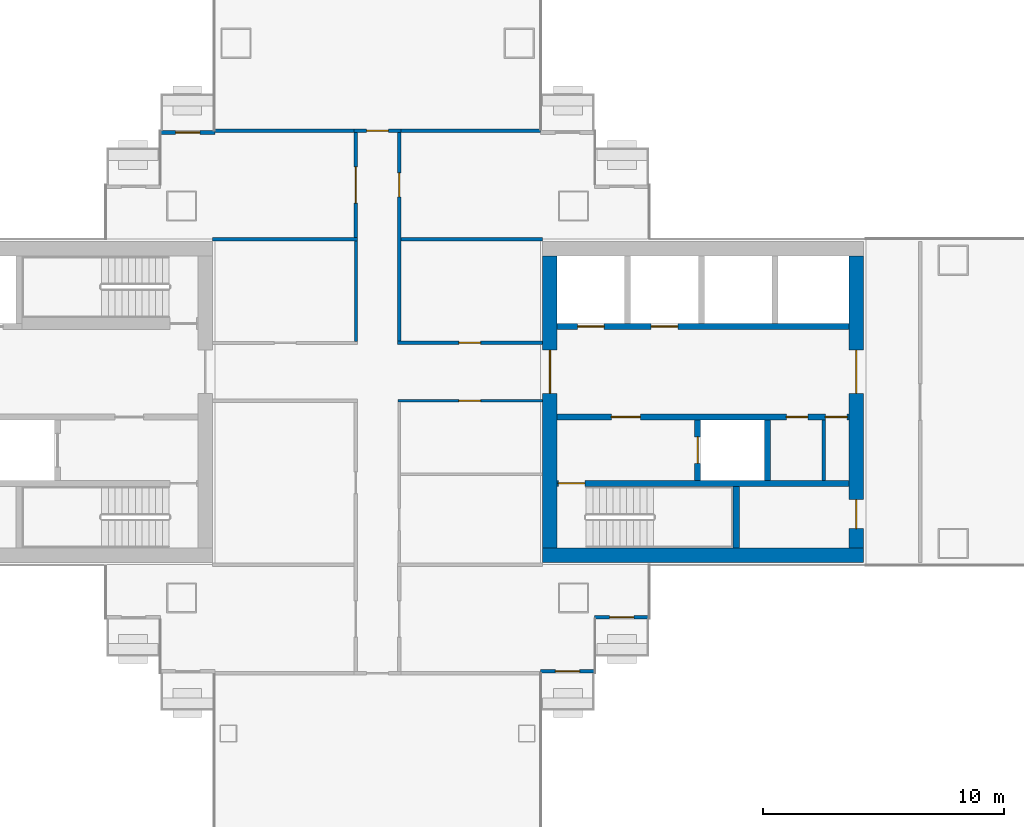
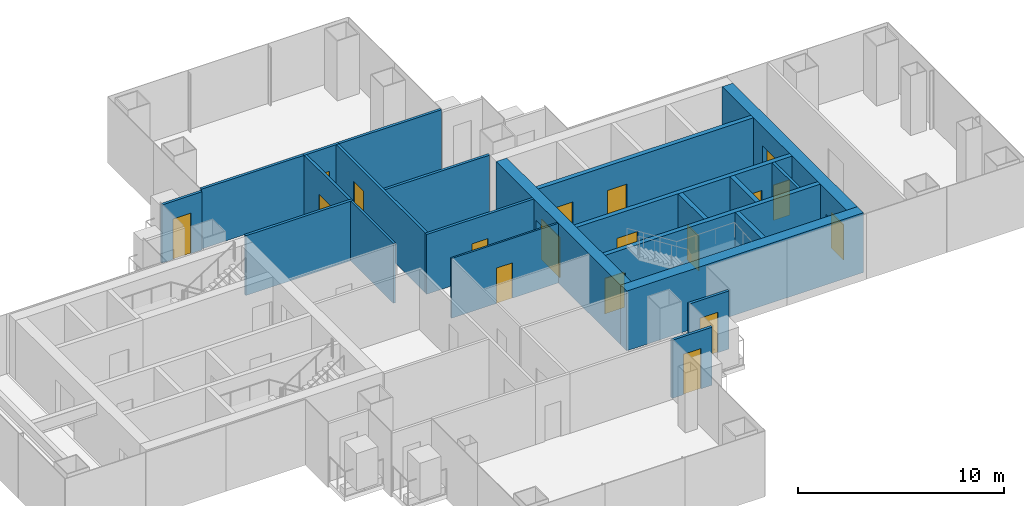
# One storey, part 13 of 20: 23 walls, 18 doors, 18 openings.
"""IFC4 building model written with IfcOpenShell, lengths in metres."""

from ifc_helpers import new_model, si_unit, direction, frame, frame_2d, origin, place, context, subcontext, project, spatial, rectangle, extrude, material, layer, layer_set, type_object, element, fill, save


model = new_model("IFC4")

# Units and contexts
model_context = context("Model", 3, precision=1e-05, world=origin(), true_north=direction((0.0, 1.0)))
body_context = subcontext(model_context, "Body", "Model", "MODEL_VIEW")
ifc_project = project(units=[si_unit("LENGTHUNIT", "METRE"), si_unit("AREAUNIT", "SQUARE_METRE"), si_unit("VOLUMEUNIT", "CUBIC_METRE"), si_unit("PLANEANGLEUNIT", "RADIAN"), si_unit("MASSUNIT", "GRAM", prefix="KILO")], contexts=[model_context])

# Site, building, storey
site_placement = place(None, origin())
site = spatial("IfcSite", under=ifc_project, at=site_placement, CompositionType="ELEMENT")
building_placement = place(site_placement, origin())
building = spatial("IfcBuilding", under=site, at=building_placement, Name="Shamsa Quay Exchange Towers", CompositionType="ELEMENT")
storey_placement = place(building_placement, frame((0.0, 0.0, 105.300048828125)))
storey = spatial("IfcBuildingStorey", under=building, at=storey_placement, Name="L24", CompositionType="ELEMENT", Elevation=105.300048828125)

# Wall, opening, door
ifc_material_1 = material(Name="Aluminium EN AW-6063 T6, black anodised, with black enamelled glass infill", Category="aluminium")
ifc_layer_1 = layer(ifc_material_1, 0.14990234375)
ifc_layer_set_1 = layer_set([ifc_layer_1], Name="BALCONY DOOR BAY WALL 150")
wall_type_1 = type_object("IfcWallType", Name="BALCONY DOOR BAY WALL 150", PredefinedType="SOLIDWALL", material=ifc_layer_set_1)
wall_1_placement = place(storey_placement, frame((-22.5, -8.925048828125, 0.0), z_axis=(0.0, 0.0, 1.0), x_axis=(-1.0, 0.0, 0.0)))
wall_1 = element("IfcWall", 1, at=wall_1_placement, inside=storey, type_object=wall_type_1, Name="Door bay T1-PKES L24", PredefinedType="SOLIDWALL", context=body_context, shape_type="SweptSolid", body=[
    extrude(rectangle(XDim=2.25, YDim=0.14990234375, at=frame_2d((1.125, 0.0))), origin(), (0.0, 0.0, 1.0), 3.449951171875),
])
opening_1_placement = place(wall_1_placement, frame((0.625, 0.0, 0.0)))
opening_1 = element("IfcOpeningElement", 2, at=opening_1_placement, cuts=wall_1, Name="Opening XD155", PredefinedType="OPENING", context=body_context, shape_type="SweptSolid", body=[
    extrude(rectangle(XDim=1.0, YDim=2.39990234375, at=frame_2d((0.5, 1.199951171875))), frame((0.0, 0.0849609375, 0.0), z_axis=(0.0, -1.0, 0.0), x_axis=(1.0, 0.0, 0.0)), (0.0, 0.0, 1.0), 0.169921875),
])
ifc_material_2 = material(Name="Aluminium EN AW-6063 T6, black anodised, with laminated glass leaf", Category="aluminium")
door_type_1 = type_object("IfcDoorType", Name="BALCONY DOOR 1000x2400", OperationType="SINGLE_SWING_LEFT", PredefinedType="DOOR", material=ifc_material_2)
door_1_placement = place(opening_1_placement, origin())
door_1 = element("IfcDoor", 3, at=door_1_placement, inside=storey, type_object=door_type_1, Name="Balcony door T1-PKES L24", OperationType="SINGLE_SWING_RIGHT", OverallHeight=2.39990234375, OverallWidth=1.0, PredefinedType="DOOR", context=body_context, shape_type="SweptSolid", body=[
    extrude(rectangle(XDim=1.0, YDim=2.39990234375, at=frame_2d((0.5, 1.199951171875))), frame((0.0, 0.02490234375, 0.0), z_axis=(0.0, -1.0, 0.0), x_axis=(1.0, 0.0, 0.0)), (0.0, 0.0, 1.0), 0.050048828125),
])
fill(opening_1, door_1)

wall_2_placement = place(storey_placement, frame((-24.75, -11.175048828125, 0.0), z_axis=(0.0, 0.0, 1.0), x_axis=(-1.0, 0.0, 0.0)))
wall_2 = element("IfcWall", 4, at=wall_2_placement, inside=storey, type_object=wall_type_1, Name="Door bay T1-PKES L24", PredefinedType="SOLIDWALL", context=body_context, shape_type="SweptSolid", body=[
    extrude(rectangle(XDim=2.25, YDim=0.14990234375, at=frame_2d((1.125, 0.0))), origin(), (0.0, 0.0, 1.0), 3.449951171875),
])
opening_2_placement = place(wall_2_placement, frame((0.625, 0.0, 0.0)))
opening_2 = element("IfcOpeningElement", 5, at=opening_2_placement, cuts=wall_2, Name="Opening XD156", PredefinedType="OPENING", context=body_context, shape_type="SweptSolid", body=[
    extrude(rectangle(XDim=1.0, YDim=2.39990234375, at=frame_2d((0.5, 1.199951171875))), frame((0.0, 0.0849609375, 0.0), z_axis=(0.0, -1.0, 0.0), x_axis=(1.0, 0.0, 0.0)), (0.0, 0.0, 1.0), 0.169921875),
])
door_2_placement = place(opening_2_placement, origin())
door_2 = element("IfcDoor", 6, at=door_2_placement, inside=storey, type_object=door_type_1, Name="Balcony door T1-PKES L24", OperationType="SINGLE_SWING_LEFT", OverallHeight=2.39990234375, OverallWidth=1.0, PredefinedType="DOOR", context=body_context, shape_type="SweptSolid", body=[
    extrude(rectangle(XDim=1.0, YDim=2.39990234375, at=frame_2d((0.5, 1.199951171875))), frame((0.0, 0.02490234375, 0.0), z_axis=(0.0, -1.0, 0.0), x_axis=(1.0, 0.0, 0.0)), (0.0, 0.0, 1.0), 0.050048828125),
])
fill(opening_2, door_2)

wall_3_placement = place(storey_placement, frame((-42.75, 11.175048828125, 0.0)))
wall_3 = element("IfcWall", 7, at=wall_3_placement, inside=storey, type_object=wall_type_1, Name="Door bay T1-PKWN L24", PredefinedType="SOLIDWALL", context=body_context, shape_type="SweptSolid", body=[
    extrude(rectangle(XDim=2.25, YDim=0.14990234375, at=frame_2d((1.125, 0.0))), origin(), (0.0, 0.0, 1.0), 3.449951171875),
])
opening_3_placement = place(wall_3_placement, frame((0.625, 0.0, 0.0)))
opening_3 = element("IfcOpeningElement", 8, at=opening_3_placement, cuts=wall_3, Name="Opening XD157", PredefinedType="OPENING", context=body_context, shape_type="SweptSolid", body=[
    extrude(rectangle(XDim=1.0, YDim=2.39990234375, at=frame_2d((0.5, 1.199951171875))), frame((0.0, 0.0849609375, 0.0), z_axis=(0.0, -1.0, 0.0), x_axis=(1.0, 0.0, 0.0)), (0.0, 0.0, 1.0), 0.169921875),
])
door_3_placement = place(opening_3_placement, origin())
door_3 = element("IfcDoor", 9, at=door_3_placement, inside=storey, type_object=door_type_1, Name="Balcony door T1-PKWN L24", OperationType="SINGLE_SWING_LEFT", OverallHeight=2.39990234375, OverallWidth=1.0, PredefinedType="DOOR", context=body_context, shape_type="SweptSolid", body=[
    extrude(rectangle(XDim=1.0, YDim=2.39990234375, at=frame_2d((0.5, 1.199951171875))), frame((0.0, 0.02490234375, 0.0), z_axis=(0.0, -1.0, 0.0), x_axis=(1.0, 0.0, 0.0)), (0.0, 0.0, 1.0), 0.050048828125),
])
fill(opening_3, door_3)

# Wall
ifc_material_3 = material(Name="Concrete C70/85", Category="concrete")
ifc_layer_2 = layer(ifc_material_3, 0.60009765625)
ifc_layer_set_2 = layer_set([ifc_layer_2], Name="CORE WALL 600 C70/85")
wall_type_2 = type_object("IfcWallType", Name="CORE WALL 600 C70/85", PredefinedType="SHEAR", material=ifc_layer_set_2)
wall_4_placement = place(storey_placement, frame((-26.89990234375, -6.35009765625, 0.0)))
element("IfcWall", 10, at=wall_4_placement, inside=storey, type_object=wall_type_2, Name="Core wall T1A-R10-PS", PredefinedType="SHEAR", context=body_context, shape_type="SweptSolid", body=[
    extrude(rectangle(XDim=13.2998046875, YDim=0.60009765625, at=frame_2d((6.64990234375, 0.0))), origin(), (0.0, 0.0, 1.0), 3.550048828125),
])

# Wall, opening, door
wall_5_placement = place(storey_placement, frame((-26.60009765625, 6.050048828125, 0.0), z_axis=(0.0, 0.0, 1.0), x_axis=(0.0, -1.0, 0.0)))
wall_5 = element("IfcWall", 11, at=wall_5_placement, inside=storey, type_object=wall_type_2, Name="Core wall T1A-R10-PF", PredefinedType="SHEAR", context=body_context, shape_type="SweptSolid", body=[
    extrude(rectangle(XDim=12.10009765625, YDim=0.60009765625, at=frame_2d((6.050048828125, 0.0))), origin(), (0.0, 0.0, 1.0), 3.550048828125),
])
opening_4_placement = place(wall_5_placement, frame((3.89990234375, 0.0, 0.0)))
opening_4 = element("IfcOpeningElement", 12, at=opening_4_placement, cuts=wall_5, Name="Opening T1A-R10-LBD01", PredefinedType="OPENING", context=body_context, shape_type="SweptSolid", body=[
    extrude(rectangle(XDim=1.800048828125, YDim=2.39990234375, at=frame_2d((0.89990234375, 1.199951171875))), frame((0.0, 0.31005859375, 0.0), z_axis=(0.0, -1.0, 0.0), x_axis=(1.0, 0.0, 0.0)), (0.0, 0.0, 1.0), 0.6201171875),
])
ifc_material_4 = material(Name="Steel, fire rated", Category="steel")
door_type_2 = type_object("IfcDoorType", Name="LIFT LOBBY DOOR PAIR 1800", OperationType="DOUBLE_DOOR_SINGLE_SWING", PredefinedType="DOOR", material=ifc_material_4)
door_4_placement = place(opening_4_placement, origin())
door_4 = element("IfcDoor", 13, at=door_4_placement, inside=storey, type_object=door_type_2, Name="T1A-R10-LBD01", OperationType="DOUBLE_DOOR_SINGLE_SWING", OverallHeight=2.39990234375, OverallWidth=1.800048828125, PredefinedType="DOOR", context=body_context, shape_type="SweptSolid", body=[
    extrude(rectangle(XDim=1.800048828125, YDim=2.39990234375, at=frame_2d((0.89990234375, 1.199951171875))), frame((0.0, 0.02490234375, 0.0), z_axis=(0.0, -1.0, 0.0), x_axis=(1.0, 0.0, 0.0)), (0.0, 0.0, 1.0), 0.050048828125),
])
fill(opening_4, door_4)

# Wall, openings, doors
wall_6_placement = place(storey_placement, frame((-13.89990234375, 6.050048828125, 0.0), z_axis=(0.0, 0.0, 1.0), x_axis=(0.0, -1.0, 0.0)))
wall_6 = element("IfcWall", 14, at=wall_6_placement, inside=storey, type_object=wall_type_2, Name="Core wall T1A-R10-PB", PredefinedType="SHEAR", context=body_context, shape_type="SweptSolid", body=[
    extrude(rectangle(XDim=12.10009765625, YDim=0.60009765625, at=frame_2d((6.050048828125, 0.0))), origin(), (0.0, 0.0, 1.0), 3.550048828125),
])
opening_5_placement = place(wall_6_placement, frame((10.10009765625, 0.0, 0.0)))
opening_5 = element("IfcOpeningElement", 15, at=opening_5_placement, cuts=wall_6, Name="Opening T1A-R10-RD02", PredefinedType="OPENING", context=body_context, shape_type="SweptSolid", body=[
    extrude(rectangle(XDim=1.199951171875, YDim=2.10009765625, at=frame_2d((0.60009765625, 1.050048828125))), frame((0.0, 0.31005859375, 0.0), z_axis=(0.0, -1.0, 0.0), x_axis=(1.0, 0.0, 0.0)), (0.0, 0.0, 1.0), 0.6201171875),
])
opening_6_placement = place(wall_6_placement, frame((3.89990234375, 0.0, 0.0)))
opening_6 = element("IfcOpeningElement", 16, at=opening_6_placement, cuts=wall_6, Name="Opening T1A-R10-LBD03", PredefinedType="OPENING", context=body_context, shape_type="SweptSolid", body=[
    extrude(rectangle(XDim=1.800048828125, YDim=2.39990234375, at=frame_2d((0.89990234375, 1.199951171875))), frame((0.0, 0.31005859375, 0.0), z_axis=(0.0, -1.0, 0.0), x_axis=(1.0, 0.0, 0.0)), (0.0, 0.0, 1.0), 0.6201171875),
])
door_5_placement = place(opening_6_placement, origin())
door_5 = element("IfcDoor", 17, at=door_5_placement, inside=storey, type_object=door_type_2, Name="T1A-R10-LBD03", OperationType="DOUBLE_DOOR_SINGLE_SWING", OverallHeight=2.39990234375, OverallWidth=1.800048828125, PredefinedType="DOOR", context=body_context, shape_type="SweptSolid", body=[
    extrude(rectangle(XDim=1.800048828125, YDim=2.39990234375, at=frame_2d((0.89990234375, 1.199951171875))), frame((0.0, 0.02490234375, 0.0), z_axis=(0.0, -1.0, 0.0), x_axis=(1.0, 0.0, 0.0)), (0.0, 0.0, 1.0), 0.050048828125),
])
fill(opening_6, door_5)
door_type_3 = type_object("IfcDoorType", Name="RISER ACCESS DOOR 1200", OperationType="SINGLE_SWING_LEFT", PredefinedType="DOOR", material=ifc_material_4)
door_6_placement = place(opening_5_placement, origin())
door_6 = element("IfcDoor", 18, at=door_6_placement, inside=storey, type_object=door_type_3, Name="T1A-R10-RD02", OperationType="SINGLE_SWING_RIGHT", OverallHeight=2.10009765625, OverallWidth=1.199951171875, PredefinedType="DOOR", context=body_context, shape_type="SweptSolid", body=[
    extrude(rectangle(XDim=1.199951171875, YDim=2.10009765625, at=frame_2d((0.60009765625, 1.050048828125))), frame((0.0, 0.02490234375, 0.0), z_axis=(0.0, -1.0, 0.0), x_axis=(1.0, 0.0, 0.0)), (0.0, 0.0, 1.0), 0.050048828125),
])
fill(opening_5, door_6)

# Walls
ifc_material_5 = material(Name="Gypsum board on steel studs, EI 60", Category="steel")
ifc_layer_3 = layer(ifc_material_5, 0.14990234375)
ifc_layer_set_3 = layer_set([ifc_layer_3], Name="FIRE PARTITION 150")
wall_type_3 = type_object("IfcWallType", Name="FIRE PARTITION 150", PredefinedType="PARTITIONING", material=ifc_layer_set_3)
wall_7_placement = place(storey_placement, frame((-15.25, -3.25, 0.0), z_axis=(0.0, 0.0, 1.0), x_axis=(0.0, 1.0, 0.0)))
element("IfcWall", 19, at=wall_7_placement, inside=storey, type_object=wall_type_3, Name="Partition T1A-R10-EC0", PredefinedType="PARTITIONING", context=body_context, shape_type="SweptSolid", body=[
    extrude(rectangle(XDim=2.5, YDim=0.14990234375, at=frame_2d((1.25, 0.0))), origin(), (0.0, 0.0, 1.0), 3.550048828125),
])
ifc_material_6 = material(Name="Laminated fire-resisting glass in a metal frame", Category="glass")
ifc_layer_4 = layer(ifc_material_6, 0.125)
ifc_layer_set_4 = layer_set([ifc_layer_4], Name="Glazed partition 125 mm EI 60")
wall_type_4 = type_object("IfcWallType", Name="Glazed partition 125 mm EI 60", PredefinedType="PARTITIONING", material=ifc_layer_set_4)
wall_8_placement = place(storey_placement, frame((-34.650390625, 2.5126953125, 0.0), z_axis=(0.0, 0.0, 1.0), x_axis=(0.0, 1.0, 0.0)))
element("IfcWall", 20, at=wall_8_placement, inside=storey, type_object=wall_type_4, Name="Partition T1-R10-W07", PredefinedType="PARTITIONING", context=body_context, shape_type="SweptSolid", body=[
    extrude(rectangle(XDim=4.162353515625, YDim=0.125, at=frame_2d((2.0810546875, 0.0))), origin(), (0.0, 0.0, 1.0), 3.550048828125),
])

# Wall, opening, door
ifc_material_7 = material(Name="Gypsum board partition on metal studs")
ifc_layer_5 = layer(ifc_material_7, 0.10009765625)
ifc_layer_set_5 = layer_set([ifc_layer_5], Name="Partition 100 mm NOT RATED")
wall_type_5 = type_object("IfcWallType", Name="Partition 100 mm NOT RATED", PredefinedType="PARTITIONING", material=ifc_layer_set_5)
wall_9_placement = place(storey_placement, frame((-26.89990234375, 0.0498046875, 0.0), z_axis=(0.0, 0.0, 1.0), x_axis=(-1.0, 0.0, 0.0)))
wall_9 = element("IfcWall", 21, at=wall_9_placement, inside=storey, type_object=wall_type_5, Name="Partition T1-R10-W05", PredefinedType="PARTITIONING", context=body_context, shape_type="SweptSolid", body=[
    extrude(rectangle(XDim=5.999755859375, YDim=0.10009765625, at=frame_2d((3.0, 0.0))), origin(), (0.0, 0.0, 1.0), 3.550048828125),
])
opening_7_placement = place(wall_9_placement, frame((2.57470703125, 0.0, 0.0)))
opening_7 = element("IfcOpeningElement", 22, at=opening_7_placement, cuts=wall_9, Name="Opening T1-R10-D11", PredefinedType="OPENING", context=body_context, shape_type="SweptSolid", body=[
    extrude(rectangle(XDim=0.89990234375, YDim=2.10009765625, at=frame_2d((0.449951171875, 1.050048828125))), frame((0.0, 0.06005859375, 0.0), z_axis=(0.0, -1.0, 0.0), x_axis=(1.0, 0.0, 0.0)), (0.0, 0.0, 1.0), 0.1201171875),
])
ifc_material_8 = material(Name="Timber door leaf in a metal frame", Category="wood")
door_type_4 = type_object("IfcDoorType", Name="Door 900x2100 NOT RATED", OperationType="NOTDEFINED", PredefinedType="DOOR", material=ifc_material_8)
door_7_placement = place(opening_7_placement, origin())
door_7 = element("IfcDoor", 23, at=door_7_placement, inside=storey, type_object=door_type_4, Name="Door T1-R10-D11", OperationType="SINGLE_SWING_RIGHT", OverallHeight=2.10009765625, OverallWidth=0.89990234375, PredefinedType="DOOR", context=body_context, shape_type="SweptSolid", body=[
    extrude(rectangle(XDim=0.89990234375, YDim=2.10009765625, at=frame_2d((0.449951171875, 1.050048828125))), frame((0.0, 0.02490234375, 0.0), z_axis=(0.0, -1.0, 0.0), x_axis=(1.0, 0.0, 0.0)), (0.0, 0.0, 1.0), 0.050048828125),
])
fill(opening_7, door_7)

ifc_layer_6 = layer(ifc_material_7, 0.14990234375)
ifc_layer_set_6 = layer_set([ifc_layer_6], Name="Partition 150 mm EI 60")
wall_type_6 = type_object("IfcWallType", Name="Partition 150 mm EI 60", PredefinedType="PARTITIONING", material=ifc_layer_set_6)
wall_10_placement = place(storey_placement, frame((-32.849609375, 11.175048828125, 0.0), z_axis=(0.0, 0.0, 1.0), x_axis=(0.0, -1.0, 0.0)))
wall_10 = element("IfcWall", 24, at=wall_10_placement, inside=storey, type_object=wall_type_6, Name="Partition T1-R10-W01", PredefinedType="PARTITIONING", context=body_context, shape_type="SweptSolid", body=[
    extrude(rectangle(XDim=8.64990234375, YDim=0.14990234375, at=frame_2d((4.324951171875, 0.0))), origin(), (0.0, 0.0, 1.0), 3.550048828125),
])
opening_8_placement = place(wall_10_placement, frame((1.675048828125, 0.0, 0.0)))
opening_8 = element("IfcOpeningElement", 25, at=opening_8_placement, cuts=wall_10, Name="Opening T1-R10-D10", PredefinedType="OPENING", context=body_context, shape_type="SweptSolid", body=[
    extrude(rectangle(XDim=1.0, YDim=2.39990234375, at=frame_2d((0.5, 1.199951171875))), frame((0.0, 0.0849609375, 0.0), z_axis=(0.0, -1.0, 0.0), x_axis=(1.0, 0.0, 0.0)), (0.0, 0.0, 1.0), 0.169921875),
])
door_type_5 = type_object("IfcDoorType", Name="Door 1000x2400 FD30S", OperationType="NOTDEFINED", PredefinedType="DOOR", material=ifc_material_8)
door_8_placement = place(opening_8_placement, origin())
door_8 = element("IfcDoor", 26, at=door_8_placement, inside=storey, type_object=door_type_5, Name="Door T1-R10-D10", OperationType="SINGLE_SWING_RIGHT", OverallHeight=2.39990234375, OverallWidth=1.0, PredefinedType="DOOR", context=body_context, shape_type="SweptSolid", body=[
    extrude(rectangle(XDim=1.0, YDim=2.39990234375, at=frame_2d((0.5, 1.199951171875))), frame((0.0, 0.02490234375, 0.0), z_axis=(0.0, -1.0, 0.0), x_axis=(1.0, 0.0, 0.0)), (0.0, 0.0, 1.0), 0.050048828125),
])
fill(opening_8, door_8)

wall_11_placement = place(storey_placement, frame((-32.924560546875, 2.4501953125, 0.0)))
wall_11 = element("IfcWall", 27, at=wall_11_placement, inside=storey, type_object=wall_type_6, Name="Partition T1-R10-W03", PredefinedType="PARTITIONING", context=body_context, shape_type="SweptSolid", body=[
    extrude(rectangle(XDim=6.024658203125, YDim=0.14990234375, at=frame_2d((3.01220703125, 0.0))), origin(), (0.0, 0.0, 1.0), 3.550048828125),
])
opening_9_placement = place(wall_11_placement, frame((2.5498046875, 0.0, 0.0)))
opening_9 = element("IfcOpeningElement", 28, at=opening_9_placement, cuts=wall_11, Name="Opening T1-R10-D09", PredefinedType="OPENING", context=body_context, shape_type="SweptSolid", body=[
    extrude(rectangle(XDim=0.89990234375, YDim=2.10009765625, at=frame_2d((0.449951171875, 1.050048828125))), frame((0.0, 0.0849609375, 0.0), z_axis=(0.0, -1.0, 0.0), x_axis=(1.0, 0.0, 0.0)), (0.0, 0.0, 1.0), 0.169921875),
])
door_type_6 = type_object("IfcDoorType", Name="Door 900x2100 FD30S", OperationType="NOTDEFINED", PredefinedType="DOOR", material=ifc_material_8)
door_9_placement = place(opening_9_placement, origin())
door_9 = element("IfcDoor", 29, at=door_9_placement, inside=storey, type_object=door_type_6, Name="Door T1-R10-D09", OperationType="SINGLE_SWING_LEFT", OverallHeight=2.10009765625, OverallWidth=0.89990234375, PredefinedType="DOOR", context=body_context, shape_type="SweptSolid", body=[
    extrude(rectangle(XDim=0.89990234375, YDim=2.10009765625, at=frame_2d((0.449951171875, 1.050048828125))), frame((0.0, 0.02490234375, 0.0), z_axis=(0.0, -1.0, 0.0), x_axis=(1.0, 0.0, 0.0)), (0.0, 0.0, 1.0), 0.050048828125),
])
fill(opening_9, door_9)

wall_12_placement = place(storey_placement, frame((-34.650390625, 6.824951171875, 0.0), z_axis=(0.0, 0.0, 1.0), x_axis=(0.0, 1.0, 0.0)))
wall_12 = element("IfcWall", 30, at=wall_12_placement, inside=storey, type_object=wall_type_6, Name="Partition T1-R10-W09", PredefinedType="PARTITIONING", context=body_context, shape_type="SweptSolid", body=[
    extrude(rectangle(XDim=4.35009765625, YDim=0.14990234375, at=frame_2d((2.175048828125, 0.0))), origin(), (0.0, 0.0, 1.0), 3.550048828125),
])
opening_10_placement = place(wall_12_placement, frame((1.425048828125, 0.0, 0.0)))
opening_10 = element("IfcOpeningElement", 31, at=opening_10_placement, cuts=wall_12, Name="Opening T1-R10-D04", PredefinedType="OPENING", context=body_context, shape_type="SweptSolid", body=[
    extrude(rectangle(XDim=1.5, YDim=2.10009765625, at=frame_2d((0.75, 1.050048828125))), frame((0.0, 0.0849609375, 0.0), z_axis=(0.0, -1.0, 0.0), x_axis=(1.0, 0.0, 0.0)), (0.0, 0.0, 1.0), 0.169921875),
])
door_type_7 = type_object("IfcDoorType", Name="Door 1500x2100 FD30S pair", OperationType="NOTDEFINED", PredefinedType="DOOR", material=ifc_material_8)
door_10_placement = place(opening_10_placement, origin())
door_10 = element("IfcDoor", 32, at=door_10_placement, inside=storey, type_object=door_type_7, Name="Door T1-R10-D04", OperationType="DOUBLE_DOOR_SINGLE_SWING", OverallHeight=2.10009765625, OverallWidth=1.5, PredefinedType="DOOR", context=body_context, shape_type="SweptSolid", body=[
    extrude(rectangle(XDim=1.5, YDim=2.10009765625, at=frame_2d((0.75, 1.050048828125))), frame((0.0, 0.02490234375, 0.0), z_axis=(0.0, -1.0, 0.0), x_axis=(1.0, 0.0, 0.0)), (0.0, 0.0, 1.0), 0.050048828125),
])
fill(opening_10, door_10)

wall_13_placement = place(storey_placement, frame((-34.725341796875, 11.25, 0.0)))
wall_13 = element("IfcWall", 33, at=wall_13_placement, inside=storey, type_object=wall_type_6, Name="Partition T1-R10-W11", PredefinedType="PARTITIONING", context=body_context, shape_type="SweptSolid", body=[
    extrude(rectangle(XDim=1.95068359375, YDim=0.14990234375, at=frame_2d((0.975341796875, 0.0))), origin(), (0.0, 0.0, 1.0), 3.550048828125),
])
opening_11_placement = place(wall_13_placement, frame((0.525390625, 0.0, 0.0)))
opening_11 = element("IfcOpeningElement", 34, at=opening_11_placement, cuts=wall_13, Name="Opening T1-R10-D05", PredefinedType="OPENING", context=body_context, shape_type="SweptSolid", body=[
    extrude(rectangle(XDim=0.89990234375, YDim=2.10009765625, at=frame_2d((0.449951171875, 1.050048828125))), frame((0.0, 0.0849609375, 0.0), z_axis=(0.0, -1.0, 0.0), x_axis=(1.0, 0.0, 0.0)), (0.0, 0.0, 1.0), 0.169921875),
])
door_11_placement = place(opening_11_placement, origin())
door_11 = element("IfcDoor", 35, at=door_11_placement, inside=storey, type_object=door_type_6, Name="Door T1-R10-D05", OperationType="SINGLE_SWING_LEFT", OverallHeight=2.10009765625, OverallWidth=0.89990234375, PredefinedType="DOOR", context=body_context, shape_type="SweptSolid", body=[
    extrude(rectangle(XDim=0.89990234375, YDim=2.10009765625, at=frame_2d((0.449951171875, 1.050048828125))), frame((0.0, 0.02490234375, 0.0), z_axis=(0.0, -1.0, 0.0), x_axis=(1.0, 0.0, 0.0)), (0.0, 0.0, 1.0), 0.050048828125),
])
fill(opening_11, door_11)

# Walls
wall_14_placement = place(storey_placement, frame((-26.89990234375, 6.75, 0.0), z_axis=(0.0, 0.0, 1.0), x_axis=(-1.0, 0.0, 0.0)))
element("IfcWall", 36, at=wall_14_placement, inside=storey, type_object=wall_type_6, Name="Partition T1-R10-W14", PredefinedType="PARTITIONING", context=body_context, shape_type="SweptSolid", body=[
    extrude(rectangle(XDim=5.874755859375, YDim=0.14990234375, at=frame_2d((2.9375, 0.0))), origin(), (0.0, 0.0, 1.0), 3.550048828125),
])
wall_15_placement = place(storey_placement, frame((-34.575439453125, 6.75, 0.0), z_axis=(0.0, 0.0, 1.0), x_axis=(-1.0, 0.0, 0.0)))
element("IfcWall", 37, at=wall_15_placement, inside=storey, type_object=wall_type_6, Name="Partition T1-R10-W15", PredefinedType="PARTITIONING", context=body_context, shape_type="SweptSolid", body=[
    extrude(rectangle(XDim=6.024658203125, YDim=0.14990234375, at=frame_2d((3.01220703125, 0.0))), origin(), (0.0, 0.0, 1.0), 3.550048828125),
])
for number, where, z_axis, x_axis, name in (
    (38, (-27.0, 11.25, 0.0), (0.0, 0.0, 1.0), (-1.0, 0.0, 0.0), "Partition T1-R10-W19"),
    (39, (-34.575439453125, 11.25, 0.0), (0.0, 0.0, 1.0), (-1.0, 0.0, 0.0), "Partition T1-R10-W20"),
):
    element("IfcWall", number, at=place(storey_placement, frame(where, z_axis=z_axis, x_axis=x_axis)), inside=storey, type_object=wall_type_6, Name=name, PredefinedType="PARTITIONING", context=body_context, shape_type="SweptSolid", body=[
        extrude(rectangle(XDim=5.924560546875, YDim=0.14990234375, at=frame_2d((2.96240234375, 0.0))), origin(), (0.0, 0.0, 1.0), 3.550048828125),
    ])

# Wall, opening, door
ifc_material_9 = material(Name="Concrete C50/60", Category="concrete")
ifc_layer_7 = layer(ifc_material_9, 0.25)
ifc_layer_set_7 = layer_set([ifc_layer_7], Name="SHAFT WALL 250 C50/60")
wall_type_7 = type_object("IfcWallType", Name="SHAFT WALL 250 C50/60", PredefinedType="SHEAR", material=ifc_layer_set_7)
wall_16_placement = place(storey_placement, frame((-14.199951171875, -3.375, 0.0), z_axis=(0.0, 0.0, 1.0), x_axis=(-1.0, 0.0, 0.0)))
wall_16 = element("IfcWall", 40, at=wall_16_placement, inside=storey, type_object=wall_type_7, Name="Shaft wall T1A-R10-STL", PredefinedType="SHEAR", context=body_context, shape_type="SweptSolid", body=[
    extrude(rectangle(XDim=12.10009765625, YDim=0.25, at=frame_2d((6.050048828125, 0.0))), origin(), (0.0, 0.0, 1.0), 3.550048828125),
])
opening_12_placement = place(wall_16_placement, frame((10.949951171875, 0.0, 0.0)))
opening_12 = element("IfcOpeningElement", 41, at=opening_12_placement, cuts=wall_16, Name="Opening T1A-R10-SD04", PredefinedType="OPENING", context=body_context, shape_type="SweptSolid", body=[
    extrude(rectangle(XDim=1.10009765625, YDim=2.10009765625, at=frame_2d((0.550048828125, 1.050048828125))), frame((0.0, 0.135009765625, 0.0), z_axis=(0.0, -1.0, 0.0), x_axis=(1.0, 0.0, 0.0)), (0.0, 0.0, 1.0), 0.27001953125),
])
door_type_8 = type_object("IfcDoorType", Name="STAIR DOOR 1100", OperationType="SINGLE_SWING_LEFT", PredefinedType="DOOR", material=ifc_material_4)
door_12_placement = place(opening_12_placement, origin())
door_12 = element("IfcDoor", 42, at=door_12_placement, inside=storey, type_object=door_type_8, Name="T1A-R10-SD04", OperationType="SINGLE_SWING_RIGHT", OverallHeight=2.10009765625, OverallWidth=1.10009765625, PredefinedType="DOOR", context=body_context, shape_type="SweptSolid", body=[
    extrude(rectangle(XDim=1.10009765625, YDim=2.10009765625, at=frame_2d((0.550048828125, 1.050048828125))), frame((0.0, 0.02490234375, 0.0), z_axis=(0.0, -1.0, 0.0), x_axis=(1.0, 0.0, 0.0)), (0.0, 0.0, 1.0), 0.050048828125),
])
fill(opening_12, door_12)

# Wall
wall_17_placement = place(storey_placement, frame((-18.875, -6.050048828125, 0.0), z_axis=(0.0, 0.0, 1.0), x_axis=(0.0, 1.0, 0.0)))
element("IfcWall", 43, at=wall_17_placement, inside=storey, type_object=wall_type_7, Name="Shaft wall T1A-R10-STF", PredefinedType="SHEAR", context=body_context, shape_type="SweptSolid", body=[
    extrude(rectangle(XDim=2.550048828125, YDim=0.25, at=frame_2d((1.27490234375, 0.0))), origin(), (0.0, 0.0, 1.0), 3.550048828125),
])

# Wall, openings, doors
wall_18_placement = place(storey_placement, frame((-14.199951171875, -0.625, 0.0), z_axis=(0.0, 0.0, 1.0), x_axis=(-1.0, 0.0, 0.0)))
wall_18 = element("IfcWall", 44, at=wall_18_placement, inside=storey, type_object=wall_type_7, Name="Shaft wall T1A-R10-B", PredefinedType="SHEAR", context=body_context, shape_type="SweptSolid", body=[
    extrude(rectangle(XDim=12.10009765625, YDim=0.25, at=frame_2d((6.050048828125, 0.0))), origin(), (0.0, 0.0, 1.0), 3.550048828125),
])
opening_13_placement = place(wall_18_placement, frame((8.64990234375, 0.0, 0.0)))
opening_13 = element("IfcOpeningElement", 45, at=opening_13_placement, cuts=wall_18, Name="Opening T1A-R10-FD05", PredefinedType="OPENING", context=body_context, shape_type="SweptSolid", body=[
    extrude(rectangle(XDim=1.199951171875, YDim=2.10009765625, at=frame_2d((0.60009765625, 1.050048828125))), frame((0.0, 0.135009765625, 0.0), z_axis=(0.0, -1.0, 0.0), x_axis=(1.0, 0.0, 0.0)), (0.0, 0.0, 1.0), 0.27001953125),
])
opening_14_placement = place(wall_18_placement, frame((1.699951171875, 0.0, 0.0)))
opening_14 = element("IfcOpeningElement", 46, at=opening_14_placement, cuts=wall_18, Name="Opening T1A-R10-SV06", PredefinedType="OPENING", context=body_context, shape_type="SweptSolid", body=[
    extrude(rectangle(XDim=0.89990234375, YDim=2.10009765625, at=frame_2d((0.449951171875, 1.050048828125))), frame((0.0, 0.135009765625, 0.0), z_axis=(0.0, -1.0, 0.0), x_axis=(1.0, 0.0, 0.0)), (0.0, 0.0, 1.0), 0.27001953125),
])
opening_15_placement = place(wall_18_placement, frame((0.074951171875, 0.0, 0.0)))
opening_15 = element("IfcOpeningElement", 47, at=opening_15_placement, cuts=wall_18, Name="Opening T1A-R10-SV07", PredefinedType="OPENING", context=body_context, shape_type="SweptSolid", body=[
    extrude(rectangle(XDim=0.89990234375, YDim=2.10009765625, at=frame_2d((0.449951171875, 1.050048828125))), frame((0.0, 0.135009765625, 0.0), z_axis=(0.0, -1.0, 0.0), x_axis=(1.0, 0.0, 0.0)), (0.0, 0.0, 1.0), 0.27001953125),
])
door_type_9 = type_object("IfcDoorType", Name="FIRE SERVICE LOBBY DOOR 1200", OperationType="SINGLE_SWING_LEFT", PredefinedType="DOOR", material=ifc_material_4)
door_13_placement = place(opening_13_placement, origin())
door_13 = element("IfcDoor", 48, at=door_13_placement, inside=storey, type_object=door_type_9, Name="T1A-R10-FD05", OperationType="SINGLE_SWING_RIGHT", OverallHeight=2.10009765625, OverallWidth=1.199951171875, PredefinedType="DOOR", context=body_context, shape_type="SweptSolid", body=[
    extrude(rectangle(XDim=1.199951171875, YDim=2.10009765625, at=frame_2d((0.60009765625, 1.050048828125))), frame((0.0, 0.02490234375, 0.0), z_axis=(0.0, -1.0, 0.0), x_axis=(1.0, 0.0, 0.0)), (0.0, 0.0, 1.0), 0.050048828125),
])
fill(opening_13, door_13)
door_type_10 = type_object("IfcDoorType", Name="SERVICE ROOM DOOR 900", OperationType="SINGLE_SWING_LEFT", PredefinedType="DOOR", material=ifc_material_4)
door_14_placement = place(opening_14_placement, origin())
door_14 = element("IfcDoor", 49, at=door_14_placement, inside=storey, type_object=door_type_10, Name="T1A-R10-SV06", OperationType="SINGLE_SWING_LEFT", OverallHeight=2.10009765625, OverallWidth=0.89990234375, PredefinedType="DOOR", context=body_context, shape_type="SweptSolid", body=[
    extrude(rectangle(XDim=0.89990234375, YDim=2.10009765625, at=frame_2d((0.449951171875, 1.050048828125))), frame((0.0, 0.02490234375, 0.0), z_axis=(0.0, -1.0, 0.0), x_axis=(1.0, 0.0, 0.0)), (0.0, 0.0, 1.0), 0.050048828125),
])
fill(opening_14, door_14)
door_15_placement = place(opening_15_placement, origin())
door_15 = element("IfcDoor", 50, at=door_15_placement, inside=storey, type_object=door_type_10, Name="T1A-R10-SV07", OperationType="SINGLE_SWING_LEFT", OverallHeight=2.10009765625, OverallWidth=0.89990234375, PredefinedType="DOOR", context=body_context, shape_type="SweptSolid", body=[
    extrude(rectangle(XDim=0.89990234375, YDim=2.10009765625, at=frame_2d((0.449951171875, 1.050048828125))), frame((0.0, 0.02490234375, 0.0), z_axis=(0.0, -1.0, 0.0), x_axis=(1.0, 0.0, 0.0)), (0.0, 0.0, 1.0), 0.050048828125),
])
fill(opening_15, door_15)

# Wall, opening, door
wall_19_placement = place(storey_placement, frame((-20.47509765625, -3.25, 0.0), z_axis=(0.0, 0.0, 1.0), x_axis=(0.0, 1.0, 0.0)))
wall_19 = element("IfcWall", 51, at=wall_19_placement, inside=storey, type_object=wall_type_7, Name="Shaft wall T1A-R10-FFF", PredefinedType="SHEAR", context=body_context, shape_type="SweptSolid", body=[
    extrude(rectangle(XDim=2.5, YDim=0.25, at=frame_2d((1.25, 0.0))), origin(), (0.0, 0.0, 1.0), 3.550048828125),
])
opening_16_placement = place(wall_19_placement, frame((0.699951171875, 0.0, 0.0)))
opening_16 = element("IfcOpeningElement", 52, at=opening_16_placement, cuts=wall_19, Name="Opening T1A-R10-LDF08", PredefinedType="OPENING", context=body_context, shape_type="SweptSolid", body=[
    extrude(rectangle(XDim=1.10009765625, YDim=2.10009765625, at=frame_2d((0.550048828125, 1.050048828125))), frame((0.0, 0.135009765625, 0.0), z_axis=(0.0, -1.0, 0.0), x_axis=(1.0, 0.0, 0.0)), (0.0, 0.0, 1.0), 0.27001953125),
])
door_type_11 = type_object("IfcDoorType", Name="FIRE SERVICE LANDING DOOR 1100", OperationType="SLIDING_TO_LEFT", PredefinedType="DOOR", material=ifc_material_4)
door_16_placement = place(opening_16_placement, origin())
door_16 = element("IfcDoor", 53, at=door_16_placement, inside=storey, type_object=door_type_11, Name="T1A-R10-LDF08", OperationType="SLIDING_TO_LEFT", OverallHeight=2.10009765625, OverallWidth=1.10009765625, PredefinedType="DOOR", context=body_context, shape_type="SweptSolid", body=[
    extrude(rectangle(XDim=1.10009765625, YDim=2.10009765625, at=frame_2d((0.550048828125, 1.050048828125))), frame((0.0, 0.02490234375, 0.0), z_axis=(0.0, -1.0, 0.0), x_axis=(1.0, 0.0, 0.0)), (0.0, 0.0, 1.0), 0.050048828125),
])
fill(opening_16, door_16)

# Wall
wall_20_placement = place(storey_placement, frame((-17.574951171875, -3.25, 0.0), z_axis=(0.0, 0.0, 1.0), x_axis=(0.0, 1.0, 0.0)))
element("IfcWall", 54, at=wall_20_placement, inside=storey, type_object=wall_type_7, Name="Shaft wall T1A-R10-FFB", PredefinedType="SHEAR", context=body_context, shape_type="SweptSolid", body=[
    extrude(rectangle(XDim=2.5, YDim=0.25, at=frame_2d((1.25, 0.0))), origin(), (0.0, 0.0, 1.0), 3.550048828125),
])

# Wall, openings, doors
wall_21_placement = place(storey_placement, frame((-26.300048828125, 3.125, 0.0)))
wall_21 = element("IfcWall", 55, at=wall_21_placement, inside=storey, type_object=wall_type_7, Name="Shaft wall T1A-R10-N", PredefinedType="SHEAR", context=body_context, shape_type="SweptSolid", body=[
    extrude(rectangle(XDim=12.10009765625, YDim=0.25, at=frame_2d((6.050048828125, 0.0))), origin(), (0.0, 0.0, 1.0), 3.550048828125),
])
opening_17_placement = place(wall_21_placement, frame((0.85009765625, 0.0, 0.0)))
opening_17 = element("IfcOpeningElement", 56, at=opening_17_placement, cuts=wall_21, Name="Opening T1A-R10-LD09", PredefinedType="OPENING", context=body_context, shape_type="SweptSolid", body=[
    extrude(rectangle(XDim=1.10009765625, YDim=2.10009765625, at=frame_2d((0.550048828125, 1.050048828125))), frame((0.0, 0.135009765625, 0.0), z_axis=(0.0, -1.0, 0.0), x_axis=(1.0, 0.0, 0.0)), (0.0, 0.0, 1.0), 0.27001953125),
])
opening_18_placement = place(wall_21_placement, frame((3.89990234375, 0.0, 0.0)))
opening_18 = element("IfcOpeningElement", 57, at=opening_18_placement, cuts=wall_21, Name="Opening T1A-R10-LD10", PredefinedType="OPENING", context=body_context, shape_type="SweptSolid", body=[
    extrude(rectangle(XDim=1.10009765625, YDim=2.10009765625, at=frame_2d((0.550048828125, 1.050048828125))), frame((0.0, 0.135009765625, 0.0), z_axis=(0.0, -1.0, 0.0), x_axis=(1.0, 0.0, 0.0)), (0.0, 0.0, 1.0), 0.27001953125),
])
door_type_12 = type_object("IfcDoorType", Name="LANDING DOOR 1100", OperationType="SLIDING_TO_LEFT", PredefinedType="DOOR", material=ifc_material_4)
door_17_placement = place(opening_17_placement, origin())
door_17 = element("IfcDoor", 58, at=door_17_placement, inside=storey, type_object=door_type_12, Name="T1A-R10-LD09", OperationType="SLIDING_TO_LEFT", OverallHeight=2.10009765625, OverallWidth=1.10009765625, PredefinedType="DOOR", context=body_context, shape_type="SweptSolid", body=[
    extrude(rectangle(XDim=1.10009765625, YDim=2.10009765625, at=frame_2d((0.550048828125, 1.050048828125))), frame((0.0, 0.02490234375, 0.0), z_axis=(0.0, -1.0, 0.0), x_axis=(1.0, 0.0, 0.0)), (0.0, 0.0, 1.0), 0.050048828125),
])
fill(opening_17, door_17)
door_18_placement = place(opening_18_placement, origin())
door_18 = element("IfcDoor", 59, at=door_18_placement, inside=storey, type_object=door_type_12, Name="T1A-R10-LD10", OperationType="SLIDING_TO_LEFT", OverallHeight=2.10009765625, OverallWidth=1.10009765625, PredefinedType="DOOR", context=body_context, shape_type="SweptSolid", body=[
    extrude(rectangle(XDim=1.10009765625, YDim=2.10009765625, at=frame_2d((0.550048828125, 1.050048828125))), frame((0.0, 0.02490234375, 0.0), z_axis=(0.0, -1.0, 0.0), x_axis=(1.0, 0.0, 0.0)), (0.0, 0.0, 1.0), 0.050048828125),
])
fill(opening_18, door_18)

save(model, "model.ifc")
